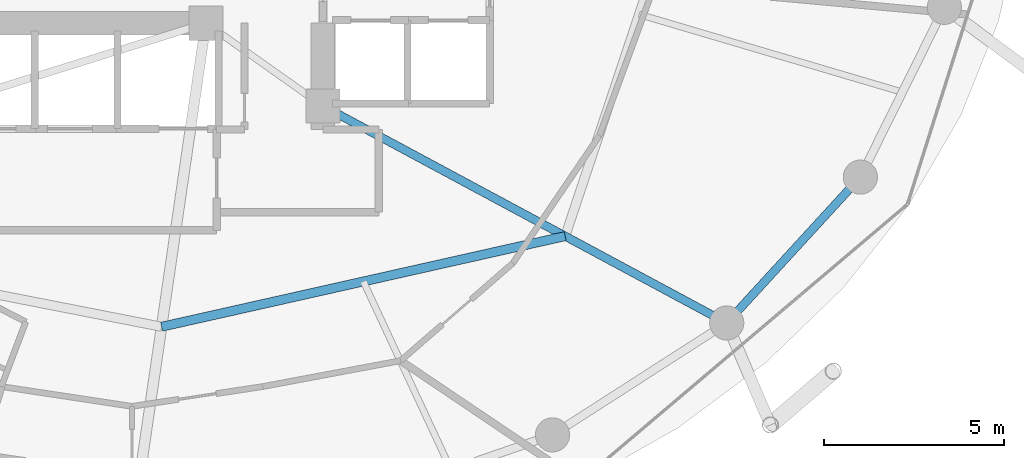
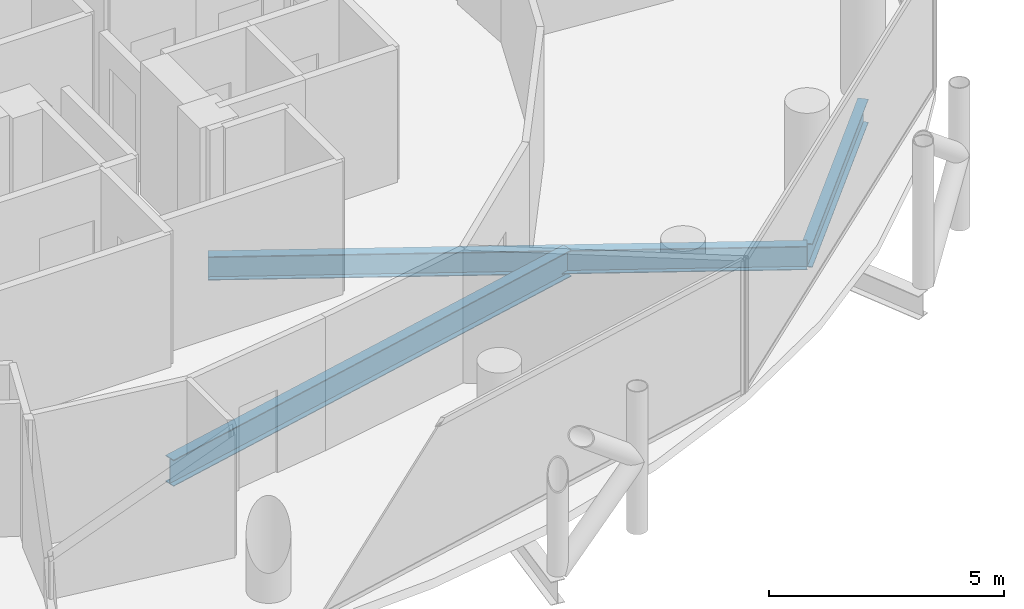
# One storey, part 9 of 26: 3 beams.
"""IFC4 building model written with IfcOpenShell, lengths in metres."""

from ifc_helpers import new_model, si_unit, direction, frame, origin, origin_2d, place, context, subcontext, project, spatial, i_section, extrude, material, material_profile, profile_set, type_object, element, save


model = new_model("IFC4")

# Units and contexts
model_context = context("Model", 3, precision=1e-05, world=origin(), true_north=direction((0.0, 1.0)))
body_context = subcontext(model_context, "Body", "Model", "MODEL_VIEW")
ifc_project = project(units=[si_unit("LENGTHUNIT", "METRE"), si_unit("AREAUNIT", "SQUARE_METRE"), si_unit("VOLUMEUNIT", "CUBIC_METRE"), si_unit("PLANEANGLEUNIT", "RADIAN"), si_unit("MASSUNIT", "GRAM", prefix="KILO")], contexts=[model_context])

# Site, building, storey
site_placement = place(None, origin())
site = spatial("IfcSite", under=ifc_project, at=site_placement, CompositionType="ELEMENT")
building_placement = place(site_placement, origin())
building = spatial("IfcBuilding", under=site, at=building_placement, Name="Nuhasar Tower", CompositionType="ELEMENT")
storey_placement = place(building_placement, frame((0.0, 0.0, 162.64990234375)))
storey = spatial("IfcBuildingStorey", under=building, at=storey_placement, Name="L39", CompositionType="ELEMENT", Elevation=162.64990234375)

# Beams
ifc_material = material(Name="Steel S355", Category="steel")
ifc_material_profile_1 = material_profile(ifc_material, i_section(OverallWidth=0.25390625, OverallDepth=0.68408203125, WebThickness=0.012451171875, FlangeThickness=0.018798828125, at=origin_2d()), Name="W27X94")
ifc_profile_set_1 = profile_set([ifc_material_profile_1], Name="Steel S355")
beam_type_1 = type_object("IfcBeamType", Name="BM-INRING-W27X94", PredefinedType="BEAM", material=ifc_profile_set_1)
beam_1_placement = place(storey_placement, frame((39.820068359375, 12.8701171875, -0.591796875), z_axis=(0.975716159385, 0.219038755282, 0.0), x_axis=(-0.219038755282, 0.975716159385, 0.0)))
element("IfcBeam", 1, at=beam_1_placement, inside=storey, type_object=beam_type_1, Name="L39 Inner Header Beam 02", PredefinedType="BEAM", context=body_context, shape_type="SweptSolid", body=[
    extrude(i_section(OverallWidth=0.25390625, OverallDepth=0.68408203125, WebThickness=0.012451171875, FlangeThickness=0.018798828125, at=origin_2d()), origin(), (0.0, 0.0, 1.0), 11.48583984375),
])
ifc_material_profile_2 = material_profile(ifc_material, i_section(OverallWidth=0.22900390625, OverallDepth=0.612060546875, WebThickness=0.011962890625, FlangeThickness=0.01953125, at=origin_2d()), Name="W24X84")
ifc_profile_set_2 = profile_set([ifc_material_profile_2], Name="Steel S355")
beam_type_2 = type_object("IfcBeamType", Name="BM-RAD-W24X84", PredefinedType="BEAM", material=ifc_profile_set_2)
beam_2_placement = place(storey_placement, frame((44.300048828125, 19.0, -0.555908203125), z_axis=(0.880888386928, -0.473324043098, 0.0), x_axis=(0.473324043098, 0.880888386928, 0.0)))
element("IfcBeam", 2, at=beam_2_placement, inside=storey, type_object=beam_type_2, Name="L39 Radial Floor Girder 03", PredefinedType="BEAM", context=body_context, shape_type="SweptSolid", body=[
    extrude(i_section(OverallWidth=0.22900390625, OverallDepth=0.612060546875, WebThickness=0.011962890625, FlangeThickness=0.01953125, at=origin_2d()), origin(), (0.0, 0.0, 1.0), 12.726806640625),
])
ifc_material_profile_3 = material_profile(ifc_material, i_section(OverallWidth=0.22998046875, OverallDepth=0.616943359375, WebThickness=0.01318359375, FlangeThickness=0.022216796875, at=origin_2d()), Name="W24X94")
ifc_profile_set_3 = profile_set([ifc_material_profile_3], Name="Steel S355")
beam_type_3 = type_object("IfcBeamType", Name="BM-RING-W24X94", PredefinedType="SPANDREL", material=ifc_profile_set_3)
beam_3_placement = place(storey_placement, frame((55.510986328125, 12.97607421875, -0.558837890625), z_axis=(0.675676316545, 0.737198423262, 0.0), x_axis=(-0.737198423262, 0.675676316545, 0.0)))
element("IfcBeam", 3, at=beam_3_placement, inside=storey, type_object=beam_type_3, Name="L39 Perimeter Ring Spandrel 22", PredefinedType="SPANDREL", context=body_context, shape_type="SweptSolid", body=[
    extrude(i_section(OverallWidth=0.22998046875, OverallDepth=0.616943359375, WebThickness=0.01318359375, FlangeThickness=0.022216796875, at=origin_2d()), origin(), (0.0, 0.0, 1.0), 5.4921875),
])

save(model, "model.ifc")
